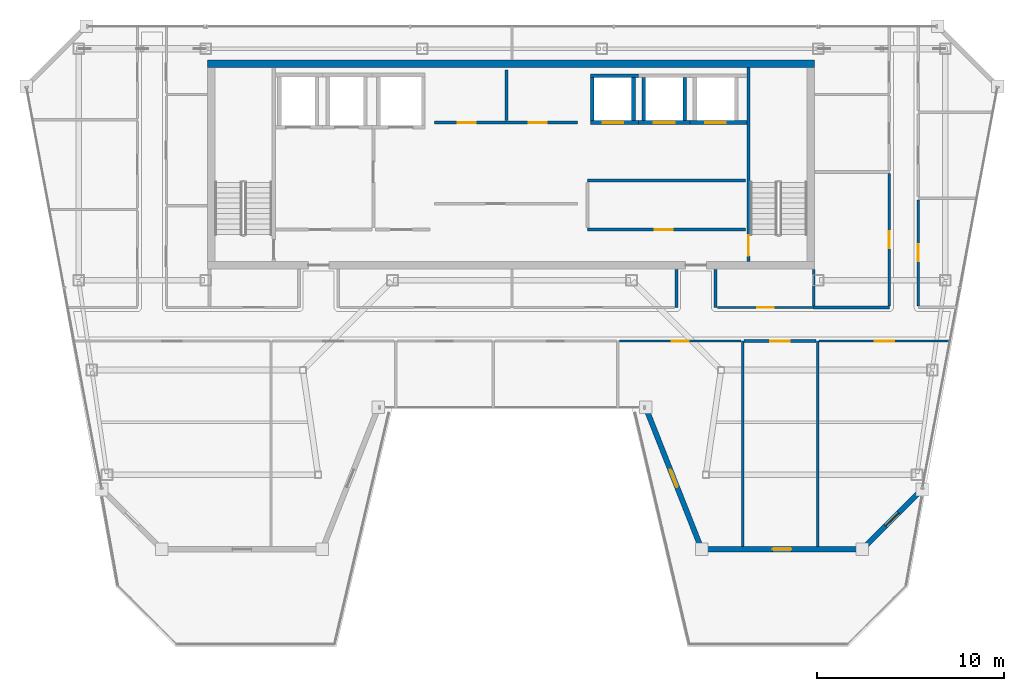
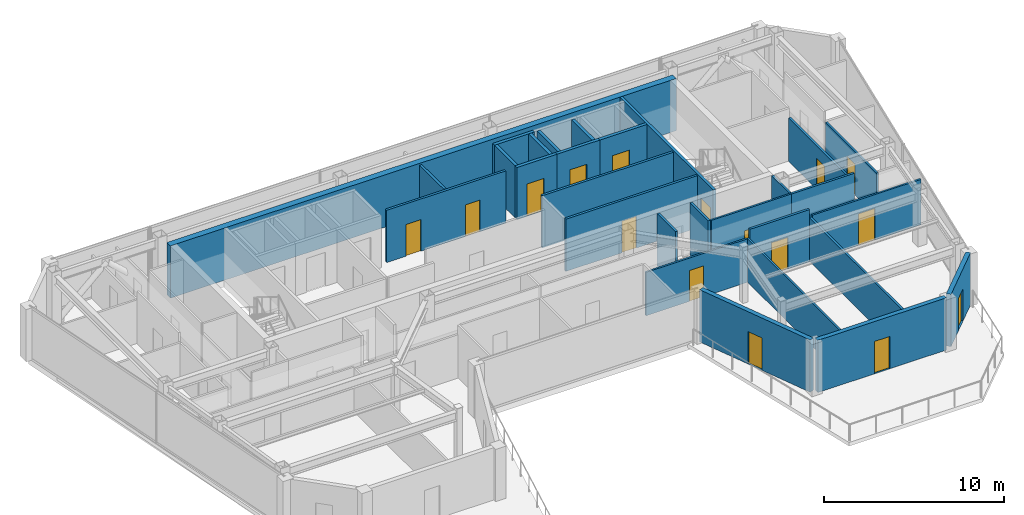
# One storey, part 20 of 25: 29 walls, 16 doors, 16 openings.
"""IFC4 building model written with IfcOpenShell, lengths in metres."""

from ifc_helpers import new_model, si_unit, direction, frame, frame_2d, origin, place, context, subcontext, project, spatial, rectangle, extrude, material, layer, layer_set, type_object, element, fill, save


model = new_model("IFC4")

# Units and contexts
model_context = context("Model", 3, precision=1e-05, world=origin(), true_north=direction((0.0, 1.0)))
body_context = subcontext(model_context, "Body", "Model", "MODEL_VIEW")
ifc_project = project(units=[si_unit("LENGTHUNIT", "METRE"), si_unit("AREAUNIT", "SQUARE_METRE"), si_unit("VOLUMEUNIT", "CUBIC_METRE"), si_unit("PLANEANGLEUNIT", "RADIAN"), si_unit("MASSUNIT", "GRAM", prefix="KILO")], contexts=[model_context])

# Site, building, storey
site_placement = place(None, origin())
site = spatial("IfcSite", under=ifc_project, at=site_placement, CompositionType="ELEMENT")
building_placement = place(site_placement, origin())
building = spatial("IfcBuilding", under=site, at=building_placement, Name="Saevonmaru Cultural Tower", CompositionType="ELEMENT")
storey_placement = place(building_placement, frame((0.0, 0.0, 276.199951171875)))
storey = spatial("IfcBuildingStorey", under=building, at=storey_placement, Name="L65", CompositionType="ELEMENT", Elevation=276.199951171875)

# Wall
ifc_material_1 = material(Name="Concrete C50/60", Category="concrete")
ifc_layer_1 = layer(ifc_material_1, 0.39990234375, Name="Concrete C50/60")
ifc_layer_set_1 = layer_set([ifc_layer_1], Name="Concrete C50/60")
wall_type_1 = type_object("IfcWallType", Name="WL-CORE-400", PredefinedType="SHEAR", material=ifc_layer_set_1)
wall_1_placement = place(storey_placement, frame((13.699951171875, 54.0, 0.0), z_axis=(0.0, 0.0, 1.0), x_axis=(1.0, 0.0, 0.0)))
element("IfcWall", 1, at=wall_1_placement, inside=storey, type_object=wall_type_1, Name="L65 Tower RC core shear wall N", PredefinedType="SHEAR", context=body_context, shape_type="SweptSolid", body=[
    extrude(rectangle(XDim=32.5, YDim=0.39990234375, at=frame_2d((16.25, 0.0))), origin(), (0.0, 0.0, 1.0), 3.550048828125),
])

# Wall, opening, door
ifc_material_2 = material(Name="Gypsum Fireboard Partition", Category="gypsum")
ifc_layer_2 = layer(ifc_material_2, 0.14990234375, Name="Gypsum Fireboard Partition")
ifc_layer_set_2 = layer_set([ifc_layer_2], Name="Gypsum Fireboard Partition")
wall_type_2 = type_object("IfcWallType", Name="WL-CORE-PART-150", PredefinedType="PARTITIONING", material=ifc_layer_set_2)
wall_2_placement = place(storey_placement, frame((34.050048828125, 45.1201171875, 0.0), z_axis=(0.0, 0.0, 1.0), x_axis=(1.0, 0.0, 0.0)))
wall_2 = element("IfcWall", 2, at=wall_2_placement, inside=storey, type_object=wall_type_2, Name="L65 Core Service South Wall", PredefinedType="PARTITIONING", context=body_context, shape_type="SweptSolid", body=[
    extrude(rectangle(XDim=8.449951171875, YDim=0.14990234375, at=frame_2d((4.22509765625, 0.0))), origin(), (0.0, 0.0, 1.0), 3.550048828125),
])
opening_1_placement = place(wall_2_placement, frame((3.60009765625, 0.0, 0.0)))
opening_1 = element("IfcOpeningElement", 3, at=opening_1_placement, cuts=wall_2, Name="Opening FD-4", PredefinedType="OPENING", context=body_context, shape_type="SweptSolid", body=[
    extrude(rectangle(XDim=0.949951171875, YDim=2.14990234375, at=frame_2d((0.47509765625, 1.074951171875))), frame((0.0, 0.0849609375, 0.0), z_axis=(0.0, -1.0, 0.0), x_axis=(1.0, 0.0, 0.0)), (0.0, 0.0, 1.0), 0.169921875),
])
ifc_material_3 = material(Name="Satin Bronze Anodised Aluminium", Category="aluminium")
door_type_1 = type_object("IfcDoorType", Name="DR-FD60-950", OperationType="SINGLE_SWING_LEFT", PredefinedType="DOOR", material=ifc_material_3)
door_1_placement = place(opening_1_placement, origin())
door_1 = element("IfcDoor", 4, at=door_1_placement, inside=storey, type_object=door_type_1, Name="L65 Telecom Riser Plant Door", OperationType="SINGLE_SWING_LEFT", OverallHeight=2.14990234375, OverallWidth=0.949951171875, PredefinedType="DOOR", context=body_context, shape_type="SweptSolid", body=[
    extrude(rectangle(XDim=0.949951171875, YDim=2.14990234375, at=frame_2d((0.47509765625, 1.074951171875))), frame((0.0, 0.02490234375, 0.0), z_axis=(0.0, -1.0, 0.0), x_axis=(1.0, 0.0, 0.0)), (0.0, 0.0, 1.0), 0.050048828125),
])
fill(opening_1, door_1)

# Wall
wall_3_placement = place(storey_placement, frame((34.050048828125, 47.75, 0.0), z_axis=(0.0, 0.0, 1.0), x_axis=(1.0, 0.0, 0.0)))
element("IfcWall", 5, at=wall_3_placement, inside=storey, type_object=wall_type_2, Name="L65 Core Service North Wall", PredefinedType="PARTITIONING", context=body_context, shape_type="SweptSolid", body=[
    extrude(rectangle(XDim=8.449951171875, YDim=0.14990234375, at=frame_2d((4.22509765625, 0.0))), origin(), (0.0, 0.0, 1.0), 3.550048828125),
])

# Wall, openings, doors
wall_4_placement = place(storey_placement, frame((25.85009765625, 50.85009765625, 0.0), z_axis=(0.0, 0.0, 1.0), x_axis=(1.0, 0.0, 0.0)))
wall_4 = element("IfcWall", 6, at=wall_4_placement, inside=storey, type_object=wall_type_2, Name="L65 Reclaimed Core Room South Wall", PredefinedType="PARTITIONING", context=body_context, shape_type="SweptSolid", body=[
    extrude(rectangle(XDim=7.64990234375, YDim=0.14990234375, at=frame_2d((3.824951171875, 0.0))), origin(), (0.0, 0.0, 1.0), 3.550048828125),
])
opening_2_placement = place(wall_4_placement, frame((1.25, 0.0, 0.0)))
opening_2 = element("IfcOpeningElement", 7, at=opening_2_placement, cuts=wall_4, Name="Opening FD-4", PredefinedType="OPENING", context=body_context, shape_type="SweptSolid", body=[
    extrude(rectangle(XDim=0.949951171875, YDim=2.14990234375, at=frame_2d((0.47509765625, 1.074951171875))), frame((0.0, 0.0849609375, 0.0), z_axis=(0.0, -1.0, 0.0), x_axis=(1.0, 0.0, 0.0)), (0.0, 0.0, 1.0), 0.169921875),
])
opening_3_placement = place(wall_4_placement, frame((5.050048828125, 0.0, 0.0)))
opening_3 = element("IfcOpeningElement", 8, at=opening_3_placement, cuts=wall_4, Name="Opening FD-4", PredefinedType="OPENING", context=body_context, shape_type="SweptSolid", body=[
    extrude(rectangle(XDim=0.949951171875, YDim=2.14990234375, at=frame_2d((0.47509765625, 1.074951171875))), frame((0.0, 0.0849609375, 0.0), z_axis=(0.0, -1.0, 0.0), x_axis=(1.0, 0.0, 0.0)), (0.0, 0.0, 1.0), 0.169921875),
])
door_2_placement = place(opening_2_placement, origin())
door_2 = element("IfcDoor", 9, at=door_2_placement, inside=storey, type_object=door_type_1, Name="L65 Reclaimed Archive Vault Door", OperationType="SINGLE_SWING_LEFT", OverallHeight=2.14990234375, OverallWidth=0.949951171875, PredefinedType="DOOR", context=body_context, shape_type="SweptSolid", body=[
    extrude(rectangle(XDim=0.949951171875, YDim=2.14990234375, at=frame_2d((0.47509765625, 1.074951171875))), frame((0.0, 0.02490234375, 0.0), z_axis=(0.0, -1.0, 0.0), x_axis=(1.0, 0.0, 0.0)), (0.0, 0.0, 1.0), 0.050048828125),
])
fill(opening_2, door_2)
door_3_placement = place(opening_3_placement, origin())
door_3 = element("IfcDoor", 10, at=door_3_placement, inside=storey, type_object=door_type_1, Name="L65 Reclaimed Conservation Storage Door", OperationType="SINGLE_SWING_LEFT", OverallHeight=2.14990234375, OverallWidth=0.949951171875, PredefinedType="DOOR", context=body_context, shape_type="SweptSolid", body=[
    extrude(rectangle(XDim=0.949951171875, YDim=2.14990234375, at=frame_2d((0.47509765625, 1.074951171875))), frame((0.0, 0.02490234375, 0.0), z_axis=(0.0, -1.0, 0.0), x_axis=(1.0, 0.0, 0.0)), (0.0, 0.0, 1.0), 0.050048828125),
])
fill(opening_3, door_3)

# Wall
wall_5_placement = place(storey_placement, frame((29.699951171875, 50.949951171875, 0.0), z_axis=(0.0, 0.0, 1.0), x_axis=(0.0, 1.0, 0.0)))
element("IfcWall", 11, at=wall_5_placement, inside=storey, type_object=wall_type_2, Name="L65 Reclaimed Vault Split", PredefinedType="PARTITIONING", context=body_context, shape_type="SweptSolid", body=[
    extrude(rectangle(XDim=2.699951171875, YDim=0.14990234375, at=frame_2d((1.35009765625, 0.0))), origin(), (0.0, 0.0, 1.0), 3.550048828125),
])

# Wall, opening, door
ifc_material_4 = material(Name="Granite-Clad Precast Concrete C40/50", Category="masonry")
ifc_layer_3 = layer(ifc_material_4, 0.280029296875, Name="Granite-Clad Precast Concrete C40/50")
ifc_layer_set_3 = layer_set([ifc_layer_3], Name="Granite-Clad Precast Concrete C40/50")
wall_type_3 = type_object("IfcWallType", Name="WL-EXT-SPANDREL-280", PredefinedType="STANDARD", material=ifc_layer_set_3)
wall_6_placement = place(storey_placement, frame((37.21435546875, 35.451171875, 0.0), z_axis=(0.0, 0.0, 1.0), x_axis=(0.367167242766, -0.930154941846, 0.0)))
wall_6 = element("IfcWall", 12, at=wall_6_placement, inside=storey, type_object=wall_type_3, Name="L65 Setback Terrace Portal Wall E5", PredefinedType="STANDARD", context=body_context, shape_type="SweptSolid", body=[
    extrude(rectangle(XDim=7.850830078125, YDim=0.280029296875, at=frame_2d((3.92529296875, 0.0))), origin(), (0.0, 0.0, 1.0), 3.550048828125),
])
opening_4_placement = place(wall_6_placement, frame((3.425048828125, 0.0, 0.0)))
opening_4 = element("IfcOpeningElement", 13, at=opening_4_placement, cuts=wall_6, Name="Opening TD-2", PredefinedType="OPENING", context=body_context, shape_type="SweptSolid", body=[
    extrude(rectangle(XDim=1.0, YDim=2.199951171875, at=frame_2d((0.5, 1.10009765625))), frame((0.0, 0.14990234375, 0.0), z_axis=(0.0, -1.0, 0.0), x_axis=(1.0, 0.0, 0.0)), (0.0, 0.0, 1.0), 0.300048828125),
])
door_type_2 = type_object("IfcDoorType", Name="DR-TERR-1000", OperationType="SINGLE_SWING_RIGHT", PredefinedType="DOOR", material=ifc_material_3)
door_4_placement = place(opening_4_placement, origin())
door_4 = element("IfcDoor", 14, at=door_4_placement, inside=storey, type_object=door_type_2, Name="L65 Sawtooth Roof Terrace Door E5", OperationType="SINGLE_SWING_RIGHT", OverallHeight=2.199951171875, OverallWidth=1.0, PredefinedType="DOOR", context=body_context, shape_type="SweptSolid", body=[
    extrude(rectangle(XDim=1.0, YDim=2.199951171875, at=frame_2d((0.5, 1.10009765625))), frame((0.0, 0.02490234375, 0.0), z_axis=(0.0, -1.0, 0.0), x_axis=(1.0, 0.0, 0.0)), (0.0, 0.0, 1.0), 0.050048828125),
])
fill(opening_4, door_4)

wall_7_placement = place(storey_placement, frame((40.315673828125, 28.0, 0.0), z_axis=(0.0, 0.0, 1.0), x_axis=(1.0, 0.0, 0.0)))
wall_7 = element("IfcWall", 15, at=wall_7_placement, inside=storey, type_object=wall_type_3, Name="L65 Setback Terrace Portal Wall E6", PredefinedType="STANDARD", context=body_context, shape_type="SweptSolid", body=[
    extrude(rectangle(XDim=8.280029296875, YDim=0.280029296875, at=frame_2d((4.14013671875, 0.0))), origin(), (0.0, 0.0, 1.0), 3.550048828125),
])
opening_5_placement = place(wall_7_placement, frame((3.639892578125, 0.0, 0.0)))
opening_5 = element("IfcOpeningElement", 16, at=opening_5_placement, cuts=wall_7, Name="Opening TD-2", PredefinedType="OPENING", context=body_context, shape_type="SweptSolid", body=[
    extrude(rectangle(XDim=1.0, YDim=2.199951171875, at=frame_2d((0.5, 1.10009765625))), frame((0.0, 0.14990234375, 0.0), z_axis=(0.0, -1.0, 0.0), x_axis=(1.0, 0.0, 0.0)), (0.0, 0.0, 1.0), 0.300048828125),
])
door_5_placement = place(opening_5_placement, origin())
door_5 = element("IfcDoor", 17, at=door_5_placement, inside=storey, type_object=door_type_2, Name="L65 Sawtooth Roof Terrace Door E6", OperationType="SINGLE_SWING_LEFT", OverallHeight=2.199951171875, OverallWidth=1.0, PredefinedType="DOOR", context=body_context, shape_type="SweptSolid", body=[
    extrude(rectangle(XDim=1.0, YDim=2.199951171875, at=frame_2d((0.5, 1.10009765625))), frame((0.0, 0.02490234375, 0.0), z_axis=(0.0, -1.0, 0.0), x_axis=(1.0, 0.0, 0.0)), (0.0, 0.0, 1.0), 0.050048828125),
])
fill(opening_5, door_5)

wall_8_placement = place(storey_placement, frame((48.86865234375, 28.113037109375, 0.0), z_axis=(0.0, 0.0, 1.0), x_axis=(0.707106781187, 0.707106781187, 0.0)))
wall_8 = element("IfcWall", 18, at=wall_8_placement, inside=storey, type_object=wall_type_3, Name="L65 Setback Terrace Portal Wall E7", PredefinedType="STANDARD", context=body_context, shape_type="SweptSolid", body=[
    extrude(rectangle(XDim=4.205810546875, YDim=0.280029296875, at=frame_2d((2.10302734375, 0.0))), origin(), (0.0, 0.0, 1.0), 3.550048828125),
])
opening_6_placement = place(wall_8_placement, frame((1.60302734375, 0.0, 0.0)))
opening_6 = element("IfcOpeningElement", 19, at=opening_6_placement, cuts=wall_8, Name="Opening TD-2", PredefinedType="OPENING", context=body_context, shape_type="SweptSolid", body=[
    extrude(rectangle(XDim=1.0, YDim=2.199951171875, at=frame_2d((0.5, 1.10009765625))), frame((0.0, 0.14990234375, 0.0), z_axis=(0.0, -1.0, 0.0), x_axis=(1.0, 0.0, 0.0)), (0.0, 0.0, 1.0), 0.300048828125),
])
door_6_placement = place(opening_6_placement, origin())
door_6 = element("IfcDoor", 20, at=door_6_placement, inside=storey, type_object=door_type_2, Name="L65 Sawtooth Roof Terrace Door E7", OperationType="SINGLE_SWING_RIGHT", OverallHeight=2.199951171875, OverallWidth=1.0, PredefinedType="DOOR", context=body_context, shape_type="SweptSolid", body=[
    extrude(rectangle(XDim=1.0, YDim=2.199951171875, at=frame_2d((0.5, 1.10009765625))), frame((0.0, 0.02490234375, 0.0), z_axis=(0.0, -1.0, 0.0), x_axis=(1.0, 0.0, 0.0)), (0.0, 0.0, 1.0), 0.050048828125),
])
fill(opening_6, door_6)

# Walls
ifc_layer_4 = layer(ifc_material_2, 0.14990234375, Name="Gypsum Fireboard Partition")
ifc_layer_set_4 = layer_set([ifc_layer_4], Name="Gypsum Fireboard Partition")
wall_type_4 = type_object("IfcWallType", Name="WL-PART-FIRE-150", PredefinedType="PARTITIONING", material=ifc_layer_set_4)
for number, where, z_axis, x_axis, name in (
    (21, (38.800048828125, 40.949951171875, 0.0), (0.0, 0.0, 1.0), (0.0, 1.0, 0.0), "L65 Core Portal Side Wall E1"),
    (22, (40.89990234375, 40.949951171875, 0.0), (0.0, 0.0, 1.0), (0.0, 1.0, 0.0), "L65 Core Portal Side Wall E2"),
):
    element("IfcWall", number, at=place(storey_placement, frame(where, z_axis=z_axis, x_axis=x_axis)), inside=storey, type_object=wall_type_4, Name=name, PredefinedType="PARTITIONING", context=body_context, shape_type="SweptSolid", body=[
        extrude(rectangle(XDim=2.030029296875, YDim=0.14990234375, at=frame_2d((1.01513671875, 0.0))), origin(), (0.0, 0.0, 1.0), 3.550048828125),
    ])

# Wall, opening, door
wall_9_placement = place(storey_placement, frame((42.429931640625, 39.14990234375, 0.0), z_axis=(0.0, 0.0, 1.0), x_axis=(1.0, 0.0, 0.0)))
wall_9 = element("IfcWall", 23, at=wall_9_placement, inside=storey, type_object=wall_type_4, Name="L65 East Asian Ceramics Gallery Corridor Wall", PredefinedType="PARTITIONING", context=body_context, shape_type="SweptSolid", body=[
    extrude(rectangle(XDim=3.842529296875, YDim=0.14990234375, at=frame_2d((1.92138671875, 0.0))), origin(), (0.0, 0.0, 1.0), 3.550048828125),
])
opening_7_placement = place(wall_9_placement, frame((1.39599609375, 0.0, 0.0)))
opening_7 = element("IfcOpeningElement", 24, at=opening_7_placement, cuts=wall_9, Name="Opening ID-1", PredefinedType="OPENING", context=body_context, shape_type="SweptSolid", body=[
    extrude(rectangle(XDim=1.050048828125, YDim=2.14990234375, at=frame_2d((0.52490234375, 1.074951171875))), frame((0.0, 0.0849609375, 0.0), z_axis=(0.0, -1.0, 0.0), x_axis=(1.0, 0.0, 0.0)), (0.0, 0.0, 1.0), 0.169921875),
])
door_type_3 = type_object("IfcDoorType", Name="DR-INT-1050", OperationType="SINGLE_SWING_LEFT", PredefinedType="DOOR", material=ifc_material_3)
door_7_placement = place(opening_7_placement, origin())
door_7 = element("IfcDoor", 25, at=door_7_placement, inside=storey, type_object=door_type_3, Name="L65 East Asian Ceramics Gallery Door", OperationType="SINGLE_SWING_LEFT", OverallHeight=2.14990234375, OverallWidth=1.050048828125, PredefinedType="DOOR", context=body_context, shape_type="SweptSolid", body=[
    extrude(rectangle(XDim=1.050048828125, YDim=2.14990234375, at=frame_2d((0.52490234375, 1.074951171875))), frame((0.0, 0.02490234375, 0.0), z_axis=(0.0, -1.0, 0.0), x_axis=(1.0, 0.0, 0.0)), (0.0, 0.0, 1.0), 0.050048828125),
])
fill(opening_7, door_7)

ifc_layer_5 = layer(ifc_material_2, 0.1201171875, Name="Gypsum Fireboard Partition")
ifc_layer_set_5 = layer_set([ifc_layer_5], Name="Gypsum Fireboard Partition")
wall_type_5 = type_object("IfcWallType", Name="WL-PART-GYP-120", PredefinedType="PARTITIONING", material=ifc_layer_set_5)
wall_10_placement = place(storey_placement, frame((51.75, 41.03759765625, 0.0), z_axis=(0.0, 0.0, 1.0), x_axis=(0.0, 1.0, 0.0)))
wall_10 = element("IfcWall", 26, at=wall_10_placement, inside=storey, type_object=wall_type_5, Name="L65 Calligraphy Teaching Studio Corridor Wall", PredefinedType="PARTITIONING", context=body_context, shape_type="SweptSolid", body=[
    extrude(rectangle(XDim=5.6748046875, YDim=0.1201171875, at=frame_2d((2.83740234375, 0.0))), origin(), (0.0, 0.0, 1.0), 2.947021484375),
])
opening_8_placement = place(wall_10_placement, frame((2.386962890625, 0.0, 0.0)))
opening_8 = element("IfcOpeningElement", 27, at=opening_8_placement, cuts=wall_10, Name="Opening ID-2", PredefinedType="OPENING", context=body_context, shape_type="SweptSolid", body=[
    extrude(rectangle(XDim=0.89990234375, YDim=2.10009765625, at=frame_2d((0.449951171875, 1.050048828125))), frame((0.0, 0.070068359375, 0.0), z_axis=(0.0, -1.0, 0.0), x_axis=(1.0, 0.0, 0.0)), (0.0, 0.0, 1.0), 0.14013671875),
])
ifc_material_5 = material(Name="Acoustic Stained Oak Timber", Category="wood")
door_type_4 = type_object("IfcDoorType", Name="DR-INT-900", OperationType="SINGLE_SWING_RIGHT", PredefinedType="DOOR", material=ifc_material_5)
door_8_placement = place(opening_8_placement, origin())
door_8 = element("IfcDoor", 28, at=door_8_placement, inside=storey, type_object=door_type_4, Name="L65 Calligraphy Teaching Studio Door", OperationType="SINGLE_SWING_LEFT", OverallHeight=2.10009765625, OverallWidth=0.89990234375, PredefinedType="DOOR", context=body_context, shape_type="SweptSolid", body=[
    extrude(rectangle(XDim=0.89990234375, YDim=2.10009765625, at=frame_2d((0.449951171875, 1.050048828125))), frame((0.0, 0.02490234375, 0.0), z_axis=(0.0, -1.0, 0.0), x_axis=(1.0, 0.0, 0.0)), (0.0, 0.0, 1.0), 0.050048828125),
])
fill(opening_8, door_8)

wall_11_placement = place(storey_placement, frame((40.9951171875, 40.949951171875, 0.0), z_axis=(0.0, 0.0, 1.0), x_axis=(1.0, 0.0, 0.0)))
wall_11 = element("IfcWall", 29, at=wall_11_placement, inside=storey, type_object=wall_type_5, Name="L65 Typography Design Classroom Corridor Wall", PredefinedType="PARTITIONING", context=body_context, shape_type="SweptSolid", body=[
    extrude(rectangle(XDim=5.15478515625, YDim=0.1201171875, at=frame_2d((2.577392578125, 0.0))), origin(), (0.0, 0.0, 1.0), 3.550048828125),
])
opening_9_placement = place(wall_11_placement, frame((2.1279296875, 0.0, 0.0)))
opening_9 = element("IfcOpeningElement", 30, at=opening_9_placement, cuts=wall_11, Name="Opening ID-2", PredefinedType="OPENING", context=body_context, shape_type="SweptSolid", body=[
    extrude(rectangle(XDim=0.89990234375, YDim=2.10009765625, at=frame_2d((0.449951171875, 1.050048828125))), frame((0.0, 0.070068359375, 0.0), z_axis=(0.0, -1.0, 0.0), x_axis=(1.0, 0.0, 0.0)), (0.0, 0.0, 1.0), 0.14013671875),
])
door_9_placement = place(opening_9_placement, origin())
door_9 = element("IfcDoor", 31, at=door_9_placement, inside=storey, type_object=door_type_4, Name="L65 Typography Design Classroom Door", OperationType="SINGLE_SWING_LEFT", OverallHeight=2.10009765625, OverallWidth=0.89990234375, PredefinedType="DOOR", context=body_context, shape_type="SweptSolid", body=[
    extrude(rectangle(XDim=0.89990234375, YDim=2.10009765625, at=frame_2d((0.449951171875, 1.050048828125))), frame((0.0, 0.02490234375, 0.0), z_axis=(0.0, -1.0, 0.0), x_axis=(1.0, 0.0, 0.0)), (0.0, 0.0, 1.0), 0.050048828125),
])
fill(opening_9, door_9)

# Wall
wall_12_placement = place(storey_placement, frame((42.35009765625, 28.159912109375, 0.0), z_axis=(0.0, 0.0, 1.0), x_axis=(0.0, 1.0, 0.0)))
element("IfcWall", 32, at=wall_12_placement, inside=storey, type_object=wall_type_5, Name="L65 Observatory Bay Divider 5", PredefinedType="PARTITIONING", context=body_context, shape_type="SweptSolid", body=[
    extrude(rectangle(XDim=10.989990234375, YDim=0.1201171875, at=frame_2d((5.4951171875, 0.0))), origin(), (0.0, 0.0, 1.0), 2.947021484375),
])

# Wall, opening, door
wall_13_placement = place(storey_placement, frame((35.757568359375, 39.14990234375, 0.0), z_axis=(0.0, 0.0, 1.0), x_axis=(1.0, 0.0, 0.0)))
wall_13 = element("IfcWall", 33, at=wall_13_placement, inside=storey, type_object=wall_type_5, Name="L65 Curatorial Board Meeting Room Corridor Wall", PredefinedType="PARTITIONING", context=body_context, shape_type="SweptSolid", body=[
    extrude(rectangle(XDim=6.512451171875, YDim=0.1201171875, at=frame_2d((3.25634765625, 0.0))), origin(), (0.0, 0.0, 1.0), 2.947021484375),
])
opening_10_placement = place(wall_13_placement, frame((2.805908203125, 0.0, 0.0)))
opening_10 = element("IfcOpeningElement", 34, at=opening_10_placement, cuts=wall_13, Name="Opening ID-2", PredefinedType="OPENING", context=body_context, shape_type="SweptSolid", body=[
    extrude(rectangle(XDim=0.89990234375, YDim=2.10009765625, at=frame_2d((0.449951171875, 1.050048828125))), frame((0.0, 0.070068359375, 0.0), z_axis=(0.0, -1.0, 0.0), x_axis=(1.0, 0.0, 0.0)), (0.0, 0.0, 1.0), 0.14013671875),
])
door_10_placement = place(opening_10_placement, origin())
door_10 = element("IfcDoor", 35, at=door_10_placement, inside=storey, type_object=door_type_4, Name="L65 Curatorial Board Meeting Room Door", OperationType="SINGLE_SWING_RIGHT", OverallHeight=2.10009765625, OverallWidth=0.89990234375, PredefinedType="DOOR", context=body_context, shape_type="SweptSolid", body=[
    extrude(rectangle(XDim=0.89990234375, YDim=2.10009765625, at=frame_2d((0.449951171875, 1.050048828125))), frame((0.0, 0.02490234375, 0.0), z_axis=(0.0, -1.0, 0.0), x_axis=(1.0, 0.0, 0.0)), (0.0, 0.0, 1.0), 0.050048828125),
])
fill(opening_10, door_10)

wall_14_placement = place(storey_placement, frame((46.447509765625, 39.14990234375, 0.0), z_axis=(0.0, 0.0, 1.0), x_axis=(1.0, 0.0, 0.0)))
wall_14 = element("IfcWall", 36, at=wall_14_placement, inside=storey, type_object=wall_type_5, Name="L65 Rare Folio Reading Room Corridor Wall", PredefinedType="PARTITIONING", context=body_context, shape_type="SweptSolid", body=[
    extrude(rectangle(XDim=6.99169921875, YDim=0.1201171875, at=frame_2d((3.495849609375, 0.0))), origin(), (0.0, 0.0, 1.0), 3.0849609375),
])
opening_11_placement = place(wall_14_placement, frame((2.970947265625, 0.0, 0.0)))
opening_11 = element("IfcOpeningElement", 37, at=opening_11_placement, cuts=wall_14, Name="Opening ID-1", PredefinedType="OPENING", context=body_context, shape_type="SweptSolid", body=[
    extrude(rectangle(XDim=1.050048828125, YDim=2.14990234375, at=frame_2d((0.52490234375, 1.074951171875))), frame((0.0, 0.070068359375, 0.0), z_axis=(0.0, -1.0, 0.0), x_axis=(1.0, 0.0, 0.0)), (0.0, 0.0, 1.0), 0.14013671875),
])
door_11_placement = place(opening_11_placement, origin())
door_11 = element("IfcDoor", 38, at=door_11_placement, inside=storey, type_object=door_type_3, Name="L65 Rare Folio Reading Room Door", OperationType="SINGLE_SWING_RIGHT", OverallHeight=2.14990234375, OverallWidth=1.050048828125, PredefinedType="DOOR", context=body_context, shape_type="SweptSolid", body=[
    extrude(rectangle(XDim=1.050048828125, YDim=2.14990234375, at=frame_2d((0.52490234375, 1.074951171875))), frame((0.0, 0.02490234375, 0.0), z_axis=(0.0, -1.0, 0.0), x_axis=(1.0, 0.0, 0.0)), (0.0, 0.0, 1.0), 0.050048828125),
])
fill(opening_11, door_11)

# Walls
ifc_layer_6 = layer(ifc_material_2, 0.135009765625, Name="Gypsum Fireboard Partition")
ifc_layer_set_6 = layer_set([ifc_layer_6], Name="Gypsum Fireboard Partition")
wall_type_6 = type_object("IfcWallType", Name="WL-PART-GYP-135", PredefinedType="PARTITIONING", material=ifc_layer_set_6)
wall_15_placement = place(storey_placement, frame((46.360107421875, 28.159912109375, 0.0), z_axis=(0.0, 0.0, 1.0), x_axis=(0.0, 1.0, 0.0)))
element("IfcWall", 39, at=wall_15_placement, inside=storey, type_object=wall_type_6, Name="L65 Observatory Bay Divider 6", PredefinedType="PARTITIONING", context=body_context, shape_type="SweptSolid", body=[
    extrude(rectangle(XDim=10.989990234375, YDim=0.135009765625, at=frame_2d((5.4951171875, 0.0))), origin(), (0.0, 0.0, 1.0), 2.947021484375),
])
ifc_layer_7 = layer(ifc_material_2, 0.139892578125, Name="Gypsum Fireboard Partition")
ifc_layer_set_7 = layer_set([ifc_layer_7], Name="Gypsum Fireboard Partition")
wall_type_7 = type_object("IfcWallType", Name="WL-PART-WET-140", PredefinedType="PARTITIONING", material=ifc_layer_set_7)
wall_16_placement = place(storey_placement, frame((46.14990234375, 40.949951171875, 0.0), z_axis=(0.0, 0.0, 1.0), x_axis=(1.0, 0.0, 0.0)))
element("IfcWall", 40, at=wall_16_placement, inside=storey, type_object=wall_type_7, Name="L65 Washroom South Wall", PredefinedType="PARTITIONING", context=body_context, shape_type="SweptSolid", body=[
    extrude(rectangle(XDim=4.050048828125, YDim=0.139892578125, at=frame_2d((2.02490234375, 0.0))), origin(), (0.0, 0.0, 1.0), 3.550048828125),
])
wall_17_placement = place(storey_placement, frame((46.14990234375, 41.0400390625, 0.0), z_axis=(0.0, 0.0, 1.0), x_axis=(0.0, 1.0, 0.0)))
element("IfcWall", 41, at=wall_17_placement, inside=storey, type_object=wall_type_7, Name="L65 Washroom South-West Return", PredefinedType="PARTITIONING", context=body_context, shape_type="SweptSolid", body=[
    extrude(rectangle(XDim=1.93994140625, YDim=0.139892578125, at=frame_2d((0.969970703125, 0.0))), origin(), (0.0, 0.0, 1.0), 3.550048828125),
])

# Wall, opening, door
wall_18_placement = place(storey_placement, frame((50.199951171875, 41.0400390625, 0.0), z_axis=(0.0, 0.0, 1.0), x_axis=(0.0, 1.0, 0.0)))
wall_18 = element("IfcWall", 42, at=wall_18_placement, inside=storey, type_object=wall_type_7, Name="L65 Washroom Corridor Wall", PredefinedType="PARTITIONING", context=body_context, shape_type="SweptSolid", body=[
    extrude(rectangle(XDim=7.070068359375, YDim=0.139892578125, at=frame_2d((3.53515625, 0.0))), origin(), (0.0, 0.0, 1.0), 2.947021484375),
])
opening_12_placement = place(wall_18_placement, frame((3.0849609375, 0.0, 0.0)))
opening_12 = element("IfcOpeningElement", 43, at=opening_12_placement, cuts=wall_18, Name="Opening ID-2", PredefinedType="OPENING", context=body_context, shape_type="SweptSolid", body=[
    extrude(rectangle(XDim=0.89990234375, YDim=2.10009765625, at=frame_2d((0.449951171875, 1.050048828125))), frame((0.0, 0.080078125, 0.0), z_axis=(0.0, -1.0, 0.0), x_axis=(1.0, 0.0, 0.0)), (0.0, 0.0, 1.0), 0.159912109375),
])
door_12_placement = place(opening_12_placement, origin())
door_12 = element("IfcDoor", 44, at=door_12_placement, inside=storey, type_object=door_type_4, Name="L65 Public Accessible Washrooms Door", OperationType="SINGLE_SWING_RIGHT", OverallHeight=2.10009765625, OverallWidth=0.89990234375, PredefinedType="DOOR", context=body_context, shape_type="SweptSolid", body=[
    extrude(rectangle(XDim=0.89990234375, YDim=2.10009765625, at=frame_2d((0.449951171875, 1.050048828125))), frame((0.0, 0.02490234375, 0.0), z_axis=(0.0, -1.0, 0.0), x_axis=(1.0, 0.0, 0.0)), (0.0, 0.0, 1.0), 0.050048828125),
])
fill(opening_12, door_12)

ifc_material_6 = material(Name="Concrete C40/50", Category="concrete")
ifc_layer_8 = layer(ifc_material_6, 0.199951171875, Name="Concrete C40/50")
ifc_layer_set_8 = layer_set([ifc_layer_8], Name="Concrete C40/50")
wall_type_8 = type_object("IfcWallType", Name="WL-SHAFT-200", PredefinedType="SHEAR", material=ifc_layer_set_8)
wall_19_placement = place(storey_placement, frame((34.199951171875, 50.85009765625, 0.0), z_axis=(0.0, 0.0, 1.0), x_axis=(1.0, 0.0, 0.0)))
wall_19 = element("IfcWall", 45, at=wall_19_placement, inside=storey, type_object=wall_type_8, Name="L65 Lift PL-H1 Hoistway Wall S", PredefinedType="SHEAR", context=body_context, shape_type="SweptSolid", body=[
    extrude(rectangle(XDim=2.574951171875, YDim=0.199951171875, at=frame_2d((1.28759765625, 0.0))), origin(), (0.0, 0.0, 1.0), 3.550048828125),
])
opening_13_placement = place(wall_19_placement, frame((0.64990234375, 0.0, 0.0)))
opening_13 = element("IfcOpeningElement", 46, at=opening_13_placement, cuts=wall_19, Name="Opening LD-1", PredefinedType="OPENING", context=body_context, shape_type="SweptSolid", body=[
    extrude(rectangle(XDim=1.10009765625, YDim=2.199951171875, at=frame_2d((0.550048828125, 1.10009765625))), frame((0.0, 0.10986328125, 0.0), z_axis=(0.0, -1.0, 0.0), x_axis=(1.0, 0.0, 0.0)), (0.0, 0.0, 1.0), 0.219970703125),
])
ifc_material_7 = material(Name="Satin Bronze Stainless Steel", Category="steel")
door_type_5 = type_object("IfcDoorType", Name="DR-LIFT-1100", OperationType="SLIDING_TO_LEFT", PredefinedType="DOOR", material=ifc_material_7)
door_13_placement = place(opening_13_placement, origin())
door_13 = element("IfcDoor", 47, at=door_13_placement, inside=storey, type_object=door_type_5, Name="L65 Lift PL-H1 Sliding Landing Door", OperationType="SLIDING_TO_LEFT", OverallHeight=2.199951171875, OverallWidth=1.10009765625, PredefinedType="DOOR", context=body_context, shape_type="SweptSolid", body=[
    extrude(rectangle(XDim=1.10009765625, YDim=2.199951171875, at=frame_2d((0.550048828125, 1.10009765625))), frame((0.0, 0.02490234375, 0.0), z_axis=(0.0, -1.0, 0.0), x_axis=(1.0, 0.0, 0.0)), (0.0, 0.0, 1.0), 0.050048828125),
])
fill(opening_13, door_13)

# Walls
wall_20_placement = place(storey_placement, frame((34.199951171875, 53.35009765625, 0.0), z_axis=(0.0, 0.0, 1.0), x_axis=(1.0, 0.0, 0.0)))
element("IfcWall", 48, at=wall_20_placement, inside=storey, type_object=wall_type_8, Name="L65 Lift PL-H1 Hoistway Wall N", PredefinedType="SHEAR", context=body_context, shape_type="SweptSolid", body=[
    extrude(rectangle(XDim=2.574951171875, YDim=0.199951171875, at=frame_2d((1.28759765625, 0.0))), origin(), (0.0, 0.0, 1.0), 3.550048828125),
])
for number, where, z_axis, x_axis, name in (
    (49, (34.300048828125, 50.949951171875, 0.0), (0.0, 0.0, 1.0), (0.0, 1.0, 0.0), "L65 Lift PL-H1 Hoistway Wall W"),
    (50, (36.5, 50.949951171875, 0.0), (0.0, 0.0, 1.0), (0.0, 1.0, 0.0), "L65 Lift PL-H1 Hoistway Wall E"),
):
    element("IfcWall", number, at=place(storey_placement, frame(where, z_axis=z_axis, x_axis=x_axis)), inside=storey, type_object=wall_type_8, Name=name, PredefinedType="SHEAR", context=body_context, shape_type="SweptSolid", body=[
        extrude(rectangle(XDim=2.300048828125, YDim=0.199951171875, at=frame_2d((1.14990234375, 0.0))), origin(), (0.0, 0.0, 1.0), 3.550048828125),
    ])

# Wall, opening, door
wall_21_placement = place(storey_placement, frame((36.77490234375, 50.85009765625, 0.0), z_axis=(0.0, 0.0, 1.0), x_axis=(1.0, 0.0, 0.0)))
wall_21 = element("IfcWall", 51, at=wall_21_placement, inside=storey, type_object=wall_type_8, Name="L65 Lift PL-H2 Hoistway Wall S", PredefinedType="SHEAR", context=body_context, shape_type="SweptSolid", body=[
    extrude(rectangle(XDim=2.75, YDim=0.199951171875, at=frame_2d((1.375, 0.0))), origin(), (0.0, 0.0, 1.0), 3.550048828125),
])
opening_14_placement = place(wall_21_placement, frame((0.824951171875, 0.0, 0.0)))
opening_14 = element("IfcOpeningElement", 52, at=opening_14_placement, cuts=wall_21, Name="Opening LD-1", PredefinedType="OPENING", context=body_context, shape_type="SweptSolid", body=[
    extrude(rectangle(XDim=1.10009765625, YDim=2.199951171875, at=frame_2d((0.550048828125, 1.10009765625))), frame((0.0, 0.10986328125, 0.0), z_axis=(0.0, -1.0, 0.0), x_axis=(1.0, 0.0, 0.0)), (0.0, 0.0, 1.0), 0.219970703125),
])
door_14_placement = place(opening_14_placement, origin())
door_14 = element("IfcDoor", 53, at=door_14_placement, inside=storey, type_object=door_type_5, Name="L65 Lift PL-H2 Sliding Landing Door", OperationType="SLIDING_TO_LEFT", OverallHeight=2.199951171875, OverallWidth=1.10009765625, PredefinedType="DOOR", context=body_context, shape_type="SweptSolid", body=[
    extrude(rectangle(XDim=1.10009765625, YDim=2.199951171875, at=frame_2d((0.550048828125, 1.10009765625))), frame((0.0, 0.02490234375, 0.0), z_axis=(0.0, -1.0, 0.0), x_axis=(1.0, 0.0, 0.0)), (0.0, 0.0, 1.0), 0.050048828125),
])
fill(opening_14, door_14)

# Walls
for number, where, z_axis, x_axis, name in (
    (54, (37.050048828125, 50.949951171875, 0.0), (0.0, 0.0, 1.0), (0.0, 1.0, 0.0), "L65 Lift PL-H2 Hoistway Wall W"),
    (55, (39.25, 50.949951171875, 0.0), (0.0, 0.0, 1.0), (0.0, 1.0, 0.0), "L65 Lift PL-H2 Hoistway Wall E"),
):
    element("IfcWall", number, at=place(storey_placement, frame(where, z_axis=z_axis, x_axis=x_axis)), inside=storey, type_object=wall_type_8, Name=name, PredefinedType="SHEAR", context=body_context, shape_type="SweptSolid", body=[
        extrude(rectangle(XDim=2.300048828125, YDim=0.199951171875, at=frame_2d((1.14990234375, 0.0))), origin(), (0.0, 0.0, 1.0), 3.550048828125),
    ])

# Wall, opening, door
wall_22_placement = place(storey_placement, frame((39.52490234375, 50.85009765625, 0.0), z_axis=(0.0, 0.0, 1.0), x_axis=(1.0, 0.0, 0.0)))
wall_22 = element("IfcWall", 56, at=wall_22_placement, inside=storey, type_object=wall_type_8, Name="L65 Lift PL-H3 Hoistway Wall S", PredefinedType="SHEAR", context=body_context, shape_type="SweptSolid", body=[
    extrude(rectangle(XDim=3.045166015625, YDim=0.199951171875, at=frame_2d((1.5224609375, 0.0))), origin(), (0.0, 0.0, 1.0), 3.550048828125),
])
opening_15_placement = place(wall_22_placement, frame((0.824951171875, 0.0, 0.0)))
opening_15 = element("IfcOpeningElement", 57, at=opening_15_placement, cuts=wall_22, Name="Opening LD-1", PredefinedType="OPENING", context=body_context, shape_type="SweptSolid", body=[
    extrude(rectangle(XDim=1.10009765625, YDim=2.199951171875, at=frame_2d((0.550048828125, 1.10009765625))), frame((0.0, 0.10986328125, 0.0), z_axis=(0.0, -1.0, 0.0), x_axis=(1.0, 0.0, 0.0)), (0.0, 0.0, 1.0), 0.219970703125),
])
door_15_placement = place(opening_15_placement, origin())
door_15 = element("IfcDoor", 58, at=door_15_placement, inside=storey, type_object=door_type_5, Name="L65 Lift PL-H3 Sliding Landing Door", OperationType="SLIDING_TO_LEFT", OverallHeight=2.199951171875, OverallWidth=1.10009765625, PredefinedType="DOOR", context=body_context, shape_type="SweptSolid", body=[
    extrude(rectangle(XDim=1.10009765625, YDim=2.199951171875, at=frame_2d((0.550048828125, 1.10009765625))), frame((0.0, 0.02490234375, 0.0), z_axis=(0.0, -1.0, 0.0), x_axis=(1.0, 0.0, 0.0)), (0.0, 0.0, 1.0), 0.050048828125),
])
fill(opening_15, door_15)

ifc_layer_9 = layer(ifc_material_6, 0.179931640625, Name="Concrete C40/50")
ifc_layer_set_9 = layer_set([ifc_layer_9], Name="Concrete C40/50")
wall_type_9 = type_object("IfcWallType", Name="WL-STSHAFT-180", PredefinedType="SHEAR", material=ifc_layer_set_9)
wall_23_placement = place(storey_placement, frame((42.659912109375, 53.800048828125, 0.0), z_axis=(0.0, 0.0, 1.0), x_axis=(0.0, -1.0, 0.0)))
wall_23 = element("IfcWall", 59, at=wall_23_placement, inside=storey, type_object=wall_type_9, Name="L65 Stair ST-2 Structural Shaft Wall 1", PredefinedType="SHEAR", context=body_context, shape_type="SweptSolid", body=[
    extrude(rectangle(XDim=10.400146484375, YDim=0.179931640625, at=frame_2d((5.2001953125, 0.0))), origin(), (0.0, 0.0, 1.0), 3.550048828125),
])
opening_16_placement = place(wall_23_placement, frame((8.989990234375, 0.0, 0.0)))
opening_16 = element("IfcOpeningElement", 60, at=opening_16_placement, cuts=wall_23, Name="Opening FD-2", PredefinedType="OPENING", context=body_context, shape_type="SweptSolid", body=[
    extrude(rectangle(XDim=1.10009765625, YDim=2.14990234375, at=frame_2d((0.550048828125, 1.074951171875))), frame((0.0, 0.10009765625, 0.0), z_axis=(0.0, -1.0, 0.0), x_axis=(1.0, 0.0, 0.0)), (0.0, 0.0, 1.0), 0.199951171875),
])
door_type_6 = type_object("IfcDoorType", Name="DR-FD60-1100", OperationType="SINGLE_SWING_LEFT", PredefinedType="DOOR", material=ifc_material_3)
door_16_placement = place(opening_16_placement, origin())
door_16 = element("IfcDoor", 61, at=door_16_placement, inside=storey, type_object=door_type_6, Name="L65 Protected Stair ST-2 Fire Door", OperationType="SINGLE_SWING_LEFT", OverallHeight=2.14990234375, OverallWidth=1.10009765625, PredefinedType="DOOR", context=body_context, shape_type="SweptSolid", body=[
    extrude(rectangle(XDim=1.10009765625, YDim=2.14990234375, at=frame_2d((0.550048828125, 1.074951171875))), frame((0.0, 0.02490234375, 0.0), z_axis=(0.0, -1.0, 0.0), x_axis=(1.0, 0.0, 0.0)), (0.0, 0.0, 1.0), 0.050048828125),
])
fill(opening_16, door_16)

save(model, "model.ifc")
